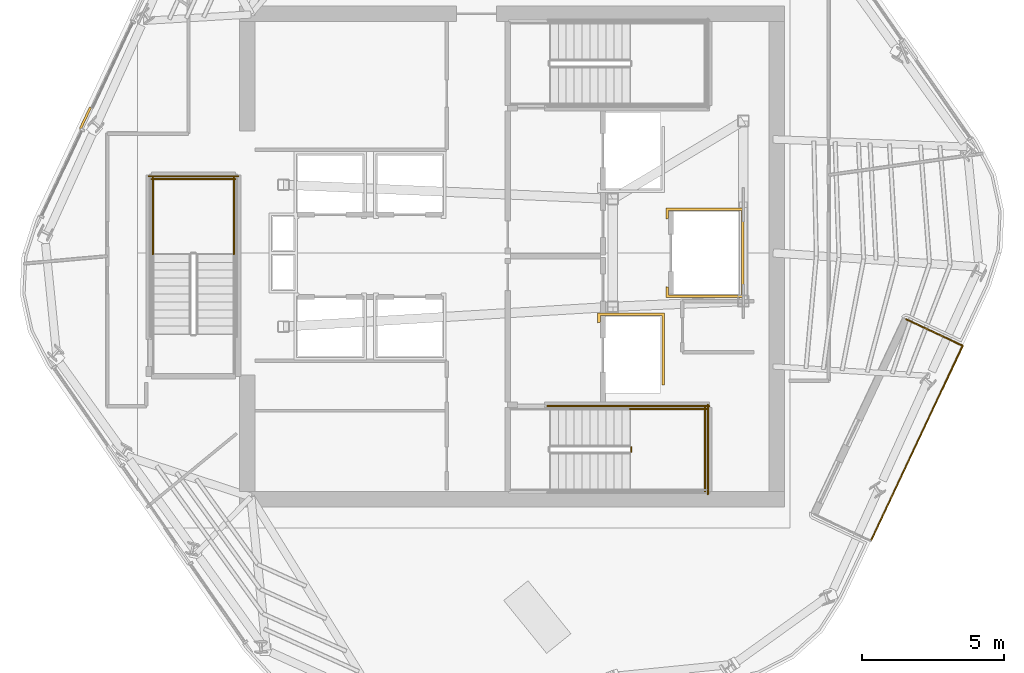
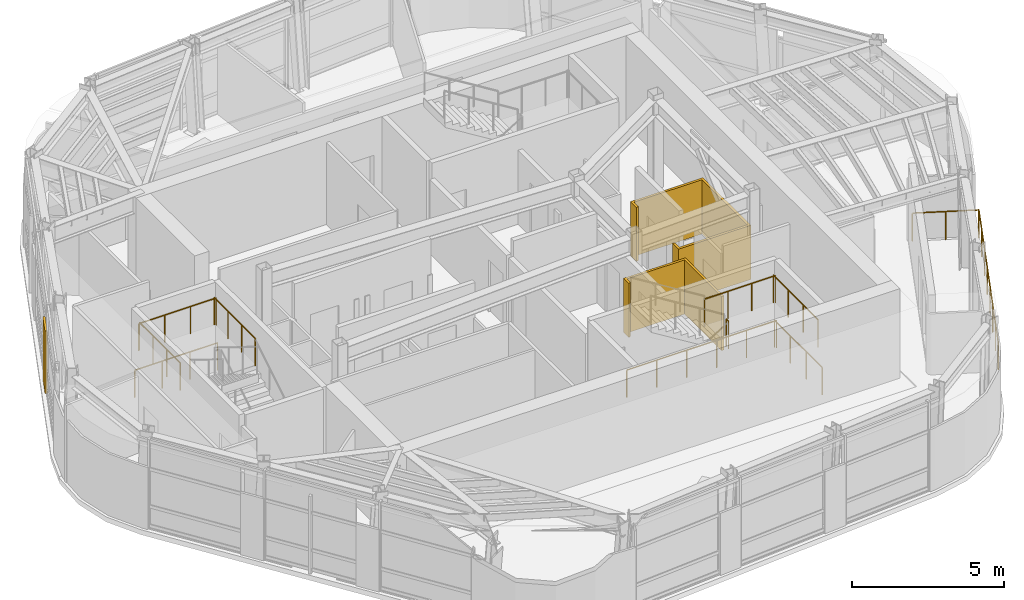
# One storey, part 11 of 14: 11 railings, 3 coverings.
"""IFC4 building model written with IfcOpenShell, lengths in metres."""

from ifc_helpers import new_model, si_unit, direction, frame, origin, origin_2d, place, context, subcontext, project, spatial, polyline, circle, outline, extrude, material, layer, layer_set, type_object, element, save


model = new_model("IFC4")

# Units and contexts
model_context = context("Model", 3, precision=1e-05, world=origin(), true_north=direction((0.0, 1.0)))
body_context = subcontext(model_context, "Body", "Model", "MODEL_VIEW")
ifc_project = project(units=[si_unit("LENGTHUNIT", "METRE"), si_unit("AREAUNIT", "SQUARE_METRE"), si_unit("VOLUMEUNIT", "CUBIC_METRE"), si_unit("PLANEANGLEUNIT", "RADIAN"), si_unit("MASSUNIT", "GRAM", prefix="KILO")], contexts=[model_context])

# Site, building, storey
site_placement = place(None, origin())
site = spatial("IfcSite", under=ifc_project, at=site_placement, CompositionType="ELEMENT")
building_placement = place(site_placement, origin())
building = spatial("IfcBuilding", under=site, at=building_placement, Name="Valkerne Bourse Tower", CompositionType="ELEMENT")
storey_placement = place(building_placement, frame((0.0, 0.0, 304.0)))
storey = spatial("IfcBuildingStorey", under=building, at=storey_placement, Name="L77", CompositionType="ELEMENT", Elevation=304.0)

# Coverings
ifc_material_1 = material(Name="Bronze Anodised Aluminium AA 6063-T6", Category="aluminium")
ifc_layer_1 = layer(ifc_material_1, 0.06005859375)
ifc_layer_set_1 = layer_set([ifc_layer_1], Name="Bronze Anodised Aluminium AA 6063-T6")
covering_type_1 = type_object("IfcCoveringType", Name="COV-CRN-ALUM", PredefinedType="CLADDING", material=ifc_layer_set_1)
covering_1_placement = place(storey_placement, origin())
element("IfcCovering", 1, at=covering_1_placement, inside=storey, type_object=covering_type_1, Name="L77 Wind-Shaped Corner Aluminium Cladding 08", PredefinedType="CLADDING", context=body_context, shape_type="SweptSolid", body=[
    extrude(outline(polyline([(31.910888671875, 32.142822265625), (31.9833984375, 32.10888671875), (31.625732421875, 31.3486328125), (31.55322265625, 31.3828125), (31.910888671875, 32.142822265625)])), origin(), (0.0, 0.0, 1.0), 2.5),
])
ifc_material_2 = material(Name="Gypsum Shaftwall Liner Board", Category="gypsum")
ifc_layer_2 = layer(ifc_material_2, 0.080078125)
ifc_layer_set_2 = layer_set([ifc_layer_2], Name="Gypsum Shaftwall Liner Board")
covering_type_2 = type_object("IfcCoveringType", Name="COV-SHF-CLAD", PredefinedType="CLADDING", material=ifc_layer_set_2)
covering_2_placement = place(storey_placement, origin())
element("IfcCovering", 2, at=covering_2_placement, inside=storey, type_object=covering_type_2, Name="L77 Hoistway & Riser Shaftwall Liner 01", PredefinedType="CLADDING", context=body_context, shape_type="SweptSolid", body=[
    extrude(outline(polyline([(52.179931640625, 24.8798828125), (52.179931640625, 22.35009765625), (52.090087890625, 22.35009765625), (52.090087890625, 24.7900390625), (49.909912109375, 24.7900390625), (49.909912109375, 24.560791015625), (49.869384765625, 24.550537109375), (49.827880859375, 24.53564453125), (49.820068359375, 24.531982421875), (49.820068359375, 24.8798828125), (52.179931640625, 24.8798828125)])), origin(), (0.0, 0.0, 1.0), 2.179931640625),
])
covering_3_placement = place(storey_placement, origin())
element("IfcCovering", 3, at=covering_3_placement, inside=storey, type_object=covering_type_2, Name="L77 Hoistway & Riser Shaftwall Liner 05", PredefinedType="CLADDING", context=body_context, shape_type="SweptSolid", body=[
    extrude(outline(polyline([(54.97998046875, 28.580078125), (54.97998046875, 25.419921875), (52.219970703125, 25.419921875), (52.219970703125, 25.81787109375), (52.227783203125, 25.814208984375), (52.269287109375, 25.79931640625), (52.31005859375, 25.789306640625), (52.31005859375, 25.510009765625), (54.889892578125, 25.510009765625), (54.889892578125, 28.489990234375), (52.31005859375, 28.489990234375), (52.31005859375, 28.210693359375), (52.269287109375, 28.20068359375), (52.227783203125, 28.185791015625), (52.219970703125, 28.18212890625), (52.219970703125, 28.580078125), (54.97998046875, 28.580078125)])), origin(), (0.0, 0.0, 1.0), 2.179931640625),
])

# Railings
ifc_material_3 = material(Name="Laminated Tempered Safety Glass", Category="glass")
railing_type_1 = type_object("IfcRailingType", Name="RLG-GUARD-1150", PredefinedType="BALUSTRADE", material=ifc_material_3)
railing_1_placement = place(storey_placement, frame((60.68896484375, 24.6640625, 0.0)))
element("IfcRailing", 4, at=railing_1_placement, inside=storey, type_object=railing_type_1, Name="L77 V-Notch Terrace Glass Balustrade 2", PredefinedType="BALUSTRADE", context=body_context, shape_type="SweptSolid", body=[
    extrude(circle(Radius=0.02392578125, at=origin_2d()), frame((0.0, 0.0, 1.1259765625), z_axis=(0.904826246569, -0.42578100418, 0.0), x_axis=(0.42578100418, 0.904826246569, 0.0)), (0.0, 0.0, 1.0), 2.2001953125),
    extrude(circle(Radius=0.02099609375, at=origin_2d()), origin(), (0.0, 0.0, 1.0), 1.101806640625),
    extrude(circle(Radius=0.02099609375, at=origin_2d()), frame((0.995361328125, -0.46826171875, 0.0)), (0.0, 0.0, 1.0), 1.101806640625),
    extrude(circle(Radius=0.02099609375, at=origin_2d()), frame((1.99072265625, -0.936767578125, 0.0)), (0.0, 0.0, 1.0), 1.101806640625),
])
railing_2_placement = place(storey_placement, frame((62.6796875, 23.727294921875, 0.0)))
element("IfcRailing", 5, at=railing_2_placement, inside=storey, type_object=railing_type_1, Name="L77 V-Notch Terrace Glass Balustrade 3", PredefinedType="BALUSTRADE", context=body_context, shape_type="SweptSolid", body=[
    extrude(circle(Radius=0.02392578125, at=origin_2d()), frame((0.0, 0.0, 1.1259765625), z_axis=(-0.425795489311, -0.904819430208, 0.0), x_axis=(0.904819430208, -0.425795489311, 0.0)), (0.0, 0.0, 1.0), 7.60009765625),
    extrude(circle(Radius=0.02099609375, at=origin_2d()), origin(), (0.0, 0.0, 1.0), 1.101806640625),
    extrude(circle(Radius=0.02099609375, at=origin_2d()), frame((-0.46240234375, -0.982421875, 0.0)), (0.0, 0.0, 1.0), 1.101806640625),
    extrude(circle(Radius=0.02099609375, at=origin_2d()), frame((-0.924560546875, -1.96484375, 0.0)), (0.0, 0.0, 1.0), 1.101806640625),
    extrude(circle(Radius=0.02099609375, at=origin_2d()), frame((-1.386962890625, -2.947265625, 0.0)), (0.0, 0.0, 1.0), 1.101806640625),
    extrude(circle(Radius=0.02099609375, at=origin_2d()), frame((-1.84912109375, -3.929443359375, 0.0)), (0.0, 0.0, 1.0), 1.101806640625),
    extrude(circle(Radius=0.02099609375, at=origin_2d()), frame((-2.3115234375, -4.911865234375, 0.0)), (0.0, 0.0, 1.0), 1.101806640625),
    extrude(circle(Radius=0.02099609375, at=origin_2d()), frame((-2.773681640625, -5.894287109375, 0.0)), (0.0, 0.0, 1.0), 1.101806640625),
    extrude(circle(Radius=0.02099609375, at=origin_2d()), frame((-3.236083984375, -6.876708984375, 0.0)), (0.0, 0.0, 1.0), 1.101806640625),
])
ifc_material_4 = material(Name="Galvanised Painted Steel", Category="steel")
railing_type_2 = type_object("IfcRailingType", Name="RLG-ST-GUARD-1120", PredefinedType="GUARDRAIL", material=ifc_material_4)
railing_3_placement = place(storey_placement, frame((51.0, 20.0, 1.89990234375)))
element("IfcRailing", 6, at=railing_3_placement, inside=storey, type_object=railing_type_2, Name="L77 ST-1 stair guard 2", PredefinedType="GUARDRAIL", context=body_context, shape_type="SweptSolid", body=[
    extrude(circle(Radius=0.02392578125, at=origin_2d()), frame((0.0, 0.0, 1.09619140625), z_axis=(0.0, 1.0, 0.0), x_axis=(-1.0, 0.0, 0.0)), (0.0, 0.0, 1.0), 0.14990234375),
    extrude(circle(Radius=0.02099609375, at=origin_2d()), origin(), (0.0, 0.0, 1.0), 1.072021484375),
    extrude(circle(Radius=0.02099609375, at=origin_2d()), frame((0.0, 0.14990234375, 0.0)), (0.0, 0.0, 1.0), 1.072021484375),
])
railing_4_placement = place(storey_placement, frame((50.949951171875, 21.5, 1.89990234375)))
element("IfcRailing", 7, at=railing_4_placement, inside=storey, type_object=railing_type_2, Name="L77 ST-1 stair guard 4", PredefinedType="GUARDRAIL", context=body_context, shape_type="SweptSolid", body=[
    extrude(circle(Radius=0.02392578125, at=origin_2d()), frame((0.0, 0.0, 1.09619140625), z_axis=(1.0, 0.0, 0.0), x_axis=(0.0, 1.0, 0.0)), (0.0, 0.0, 1.0), 2.699951171875),
    extrude(circle(Radius=0.02099609375, at=origin_2d()), origin(), (0.0, 0.0, 1.0), 1.072021484375),
    extrude(circle(Radius=0.02099609375, at=origin_2d()), frame((0.89990234375, 0.0, 0.0)), (0.0, 0.0, 1.0), 1.072021484375),
    extrude(circle(Radius=0.02099609375, at=origin_2d()), frame((1.800048828125, 0.0, 0.0)), (0.0, 0.0, 1.0), 1.072021484375),
    extrude(circle(Radius=0.02099609375, at=origin_2d()), frame((2.699951171875, 0.0, 0.0)), (0.0, 0.0, 1.0), 1.072021484375),
])
railing_5_placement = place(storey_placement, frame((53.60009765625, 18.60009765625, 1.89990234375)))
element("IfcRailing", 8, at=railing_5_placement, inside=storey, type_object=railing_type_2, Name="L77 ST-1 stair guard 5", PredefinedType="GUARDRAIL", context=body_context, shape_type="SweptSolid", body=[
    extrude(circle(Radius=0.02392578125, at=origin_2d()), frame((0.0, 0.0, 1.09619140625), z_axis=(0.0, 1.0, 0.0), x_axis=(-1.0, 0.0, 0.0)), (0.0, 0.0, 1.0), 2.949951171875),
    extrude(circle(Radius=0.02099609375, at=origin_2d()), origin(), (0.0, 0.0, 1.0), 1.072021484375),
    extrude(circle(Radius=0.02099609375, at=origin_2d()), frame((0.0, 0.9833984375, 0.0)), (0.0, 0.0, 1.0), 1.072021484375),
    extrude(circle(Radius=0.02099609375, at=origin_2d()), frame((0.0, 1.966552734375, 0.0)), (0.0, 0.0, 1.0), 1.072021484375),
    extrude(circle(Radius=0.02099609375, at=origin_2d()), frame((0.0, 2.949951171875, 0.0)), (0.0, 0.0, 1.0), 1.072021484375),
])
railing_6_placement = place(storey_placement, frame((48.050048828125, 21.60009765625, 0.0)))
element("IfcRailing", 9, at=railing_6_placement, inside=storey, type_object=railing_type_2, Name="L77 ST-1 stair guard 11", PredefinedType="GUARDRAIL", context=body_context, shape_type="SweptSolid", body=[
    extrude(circle(Radius=0.02392578125, at=origin_2d()), frame((0.0, 0.0, 1.09619140625), z_axis=(1.0, 0.0, 0.0), x_axis=(0.0, 1.0, 0.0)), (0.0, 0.0, 1.0), 5.699951171875),
    extrude(circle(Radius=0.02099609375, at=origin_2d()), origin(), (0.0, 0.0, 1.0), 1.072021484375),
    extrude(circle(Radius=0.02099609375, at=origin_2d()), frame((1.139892578125, 0.0, 0.0)), (0.0, 0.0, 1.0), 1.072021484375),
    extrude(circle(Radius=0.02099609375, at=origin_2d()), frame((2.280029296875, 0.0, 0.0)), (0.0, 0.0, 1.0), 1.072021484375),
    extrude(circle(Radius=0.02099609375, at=origin_2d()), frame((3.419921875, 0.0, 0.0)), (0.0, 0.0, 1.0), 1.072021484375),
    extrude(circle(Radius=0.02099609375, at=origin_2d()), frame((4.56005859375, 0.0, 0.0)), (0.0, 0.0, 1.0), 1.072021484375),
    extrude(circle(Radius=0.02099609375, at=origin_2d()), frame((5.699951171875, 0.0, 0.0)), (0.0, 0.0, 1.0), 1.072021484375),
])
railing_7_placement = place(storey_placement, frame((53.699951171875, 18.5, 0.0)))
element("IfcRailing", 10, at=railing_7_placement, inside=storey, type_object=railing_type_2, Name="L77 ST-1 stair guard 12", PredefinedType="GUARDRAIL", context=body_context, shape_type="SweptSolid", body=[
    extrude(circle(Radius=0.02392578125, at=origin_2d()), frame((0.0, 0.0, 1.09619140625), z_axis=(0.0, 1.0, 0.0), x_axis=(-1.0, 0.0, 0.0)), (0.0, 0.0, 1.0), 3.14990234375),
    extrude(circle(Radius=0.02099609375, at=origin_2d()), origin(), (0.0, 0.0, 1.0), 1.072021484375),
    extrude(circle(Radius=0.02099609375, at=origin_2d()), frame((0.0, 1.050048828125, 0.0)), (0.0, 0.0, 1.0), 1.072021484375),
    extrude(circle(Radius=0.02099609375, at=origin_2d()), frame((0.0, 2.099853515625, 0.0)), (0.0, 0.0, 1.0), 1.072021484375),
    extrude(circle(Radius=0.02099609375, at=origin_2d()), frame((0.0, 3.14990234375, 0.0)), (0.0, 0.0, 1.0), 1.072021484375),
])
for number, where, name in (
    (11, (37.0, 26.949951171875, 1.89990234375), "L77 ST-3 stair guard 3"),
    (12, (34.14990234375, 26.949951171875, 1.89990234375), "L77 ST-3 stair guard 4"),
):
    element("IfcRailing", number, at=place(storey_placement, frame(where)), inside=storey, type_object=railing_type_2, Name=name, PredefinedType="GUARDRAIL", context=body_context, shape_type="SweptSolid", body=[
        extrude(circle(Radius=0.02392578125, at=origin_2d()), frame((0.0, 0.0, 1.09619140625), z_axis=(0.0, 1.0, 0.0), x_axis=(-1.0, 0.0, 0.0)), (0.0, 0.0, 1.0), 2.699951171875),
        extrude(circle(Radius=0.02099609375, at=origin_2d()), origin(), (0.0, 0.0, 1.0), 1.072021484375),
        extrude(circle(Radius=0.02099609375, at=origin_2d()), frame((0.0, 0.89990234375, 0.0)), (0.0, 0.0, 1.0), 1.072021484375),
        extrude(circle(Radius=0.02099609375, at=origin_2d()), frame((0.0, 1.800048828125, 0.0)), (0.0, 0.0, 1.0), 1.072021484375),
        extrude(circle(Radius=0.02099609375, at=origin_2d()), frame((0.0, 2.699951171875, 0.0)), (0.0, 0.0, 1.0), 1.072021484375),
    ])
railing_8_placement = place(storey_placement, frame((37.050048828125, 29.60009765625, 1.89990234375)))
element("IfcRailing", 13, at=railing_8_placement, inside=storey, type_object=railing_type_2, Name="L77 ST-3 stair guard 5", PredefinedType="GUARDRAIL", context=body_context, shape_type="SweptSolid", body=[
    extrude(circle(Radius=0.02392578125, at=origin_2d()), frame((0.0, 0.0, 1.09619140625), z_axis=(-1.0, 0.0, 0.0), x_axis=(0.0, -1.0, 0.0)), (0.0, 0.0, 1.0), 2.949951171875),
    extrude(circle(Radius=0.02099609375, at=origin_2d()), origin(), (0.0, 0.0, 1.0), 1.072021484375),
    extrude(circle(Radius=0.02099609375, at=origin_2d()), frame((-0.9833984375, 0.0, 0.0)), (0.0, 0.0, 1.0), 1.072021484375),
    extrude(circle(Radius=0.02099609375, at=origin_2d()), frame((-1.966552734375, 0.0, 0.0)), (0.0, 0.0, 1.0), 1.072021484375),
    extrude(circle(Radius=0.02099609375, at=origin_2d()), frame((-2.949951171875, 0.0, 0.0)), (0.0, 0.0, 1.0), 1.072021484375),
])
railing_9_placement = place(storey_placement, frame((37.14990234375, 29.699951171875, 0.0)))
element("IfcRailing", 14, at=railing_9_placement, inside=storey, type_object=railing_type_2, Name="L77 ST-3 stair guard 12", PredefinedType="GUARDRAIL", context=body_context, shape_type="SweptSolid", body=[
    extrude(circle(Radius=0.02392578125, at=origin_2d()), frame((0.0, 0.0, 1.09619140625), z_axis=(-1.0, 0.0, 0.0), x_axis=(0.0, -1.0, 0.0)), (0.0, 0.0, 1.0), 3.14990234375),
    extrude(circle(Radius=0.02099609375, at=origin_2d()), origin(), (0.0, 0.0, 1.0), 1.072021484375),
    extrude(circle(Radius=0.02099609375, at=origin_2d()), frame((-1.050048828125, 0.0, 0.0)), (0.0, 0.0, 1.0), 1.072021484375),
    extrude(circle(Radius=0.02099609375, at=origin_2d()), frame((-2.099853515625, 0.0, 0.0)), (0.0, 0.0, 1.0), 1.072021484375),
    extrude(circle(Radius=0.02099609375, at=origin_2d()), frame((-3.14990234375, 0.0, 0.0)), (0.0, 0.0, 1.0), 1.072021484375),
])

save(model, "model.ifc")
